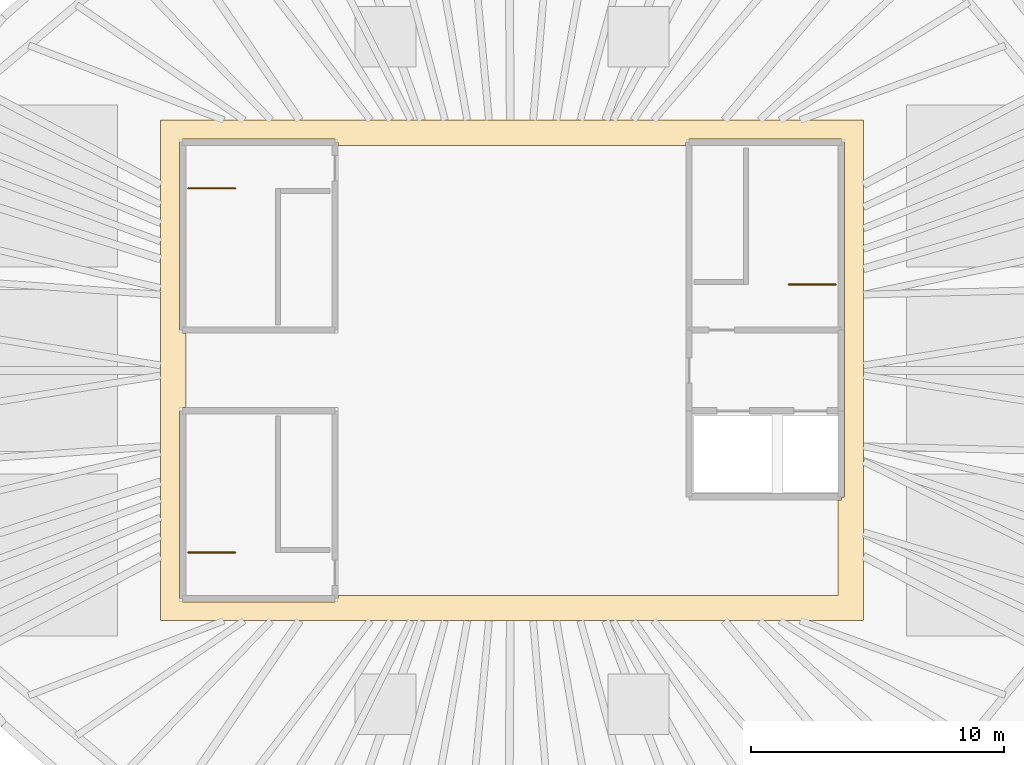
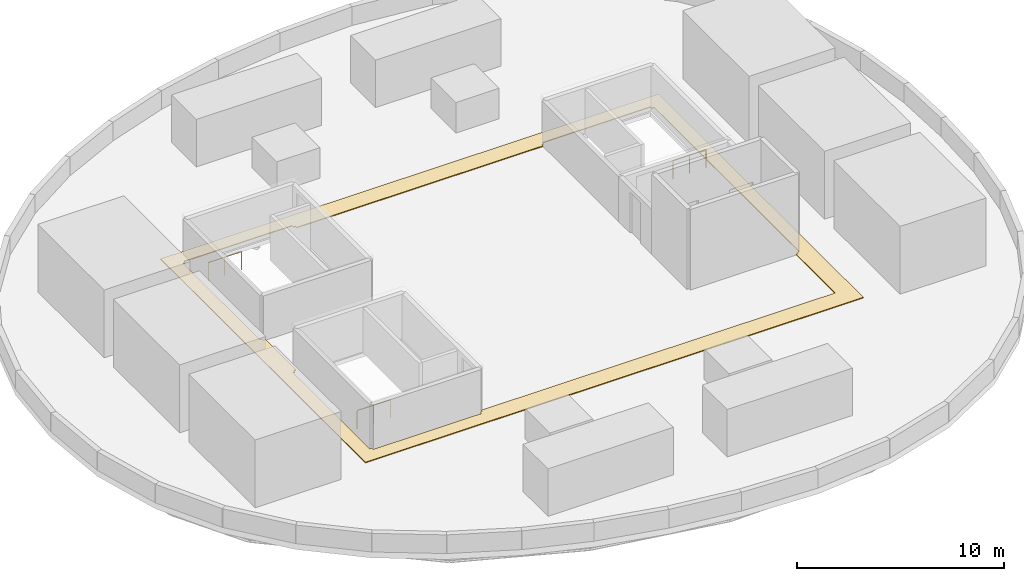
# One storey, part 5 of 6: 3 railings, 1 covering.
"""IFC4 building model written with IfcOpenShell, lengths in metres."""

from ifc_helpers import new_model, si_unit, direction, frame, origin, origin_2d, place, context, subcontext, project, spatial, polyline, circle, outline, extrude, material, layer, layer_set, type_object, element, save


model = new_model("IFC4")

# Units and contexts
model_context = context("Model", 3, precision=1e-05, world=origin(), true_north=direction((0.0, 1.0)))
body_context = subcontext(model_context, "Body", "Model", "MODEL_VIEW")
ifc_project = project(units=[si_unit("LENGTHUNIT", "METRE"), si_unit("AREAUNIT", "SQUARE_METRE"), si_unit("VOLUMEUNIT", "CUBIC_METRE"), si_unit("PLANEANGLEUNIT", "RADIAN"), si_unit("MASSUNIT", "GRAM", prefix="KILO")], contexts=[model_context])

# Site, building, storey
site_placement = place(None, origin())
site = spatial("IfcSite", under=ifc_project, at=site_placement, CompositionType="ELEMENT")
building_placement = place(site_placement, origin())
building = spatial("IfcBuilding", under=site, at=building_placement, Name="Ghaith Harvest Tower", CompositionType="ELEMENT")
storey_placement = place(building_placement, frame((0.0, 0.0, 349.199951171875)))
storey = spatial("IfcBuildingStorey", under=building, at=storey_placement, Name="RF", CompositionType="ELEMENT", Elevation=349.199951171875)

# Covering
ifc_material_1 = material(Name="Black bituminous roofing membrane")
ifc_layer = layer(ifc_material_1, 0.050048828125)
ifc_layer_set = layer_set([ifc_layer], Name="CORE WALL HEAD ROOFING 50")
covering_type = type_object("IfcCoveringType", Name="CORE WALL HEAD ROOFING 50", PredefinedType="ROOFING", material=ifc_layer_set)
covering_placement = place(storey_placement, origin())
element("IfcCovering", 1, at=covering_placement, inside=storey, type_object=covering_type, Name="Core wall head roofing 1", PredefinedType="ROOFING", context=body_context, shape_type="SweptSolid", body=[
    extrude(outline(polyline([(-13.89990234375, 9.89990234375), (13.89990234375, 9.89990234375), (13.89990234375, -9.89990234375), (-13.89990234375, -9.89990234375), (-13.89990234375, 9.89990234375)]), holes=[polyline([(-13.02490234375, -9.02490234375), (-13.02490234375, -9.14990234375), (-7.0, -9.14990234375), (-7.0, -9.02490234375), (-6.875, -9.02490234375), (-6.875, -8.89990234375), (12.89990234375, -8.89990234375), (12.89990234375, -5.125), (13.02490234375, -5.125), (13.02490234375, -5.0), (13.14990234375, -5.0), (13.14990234375, 9.02490234375), (13.02490234375, 9.02490234375), (13.02490234375, 9.14990234375), (7.0, 9.14990234375), (7.0, 9.02490234375), (6.875, 9.02490234375), (6.875, 8.89990234375), (-6.875, 8.89990234375), (-6.875, 9.02490234375), (-7.0, 9.02490234375), (-7.0, 9.14990234375), (-13.02490234375, 9.14990234375), (-13.02490234375, 9.02490234375), (-13.14990234375, 9.02490234375), (-13.14990234375, 1.60009765625), (-13.02490234375, 1.60009765625), (-13.02490234375, 1.47509765625), (-12.89990234375, 1.47509765625), (-12.89990234375, -1.47509765625), (-13.02490234375, -1.47509765625), (-13.02490234375, -1.60009765625), (-13.14990234375, -1.60009765625), (-13.14990234375, -9.02490234375), (-13.02490234375, -9.02490234375)])]), origin(), (0.0, 0.0, 1.0), 0.050048828125),
])

# Railings
ifc_material_2 = material(Name="Steel, black powder-coated", Category="steel")
railing_type = type_object("IfcRailingType", Name="GUARD GR1", PredefinedType="GUARDRAIL", material=ifc_material_2)
for number, where, name in (
    (2, (-12.800048828125, 7.199951171875, 0.0), "Guard GR1 at the top landing of stair ST1"),
    (3, (-12.800048828125, -7.199951171875, 0.0), "Guard GR1 at the top landing of stair ST3"),
):
    element("IfcRailing", number, at=place(storey_placement, frame(where)), inside=storey, type_object=railing_type, Name=name, PredefinedType="GUARDRAIL", context=body_context, shape_type="SweptSolid", body=[
        extrude(circle(Radius=0.02392578125, at=origin_2d()), frame((0.0, 0.0, 1.076171875), z_axis=(1.0, 0.0, 0.0), x_axis=(0.0, 1.0, 0.0)), (0.0, 0.0, 1.0), 1.85009765625),
        extrude(circle(Radius=0.02099609375, at=origin_2d()), origin(), (0.0, 0.0, 1.0), 1.052001953125),
        extrude(circle(Radius=0.02099609375, at=origin_2d()), frame((0.925048828125, 0.0, 0.0)), (0.0, 0.0, 1.0), 1.052001953125),
        extrude(circle(Radius=0.02099609375, at=origin_2d()), frame((1.85009765625, 0.0, 0.0)), (0.0, 0.0, 1.0), 1.052001953125),
    ])
railing_placement = place(storey_placement, frame((12.800048828125, 3.39990234375, 0.0)))
element("IfcRailing", 4, at=railing_placement, inside=storey, type_object=railing_type, Name="Guard GR1 at the top landing of stair ST2", PredefinedType="GUARDRAIL", context=body_context, shape_type="SweptSolid", body=[
    extrude(circle(Radius=0.02392578125, at=origin_2d()), frame((0.0, 0.0, 1.076171875), z_axis=(-1.0, 0.0, 0.0), x_axis=(0.0, -1.0, 0.0)), (0.0, 0.0, 1.0), 1.85009765625),
    extrude(circle(Radius=0.02099609375, at=origin_2d()), origin(), (0.0, 0.0, 1.0), 1.052001953125),
    extrude(circle(Radius=0.02099609375, at=origin_2d()), frame((-0.925048828125, 0.0, 0.0)), (0.0, 0.0, 1.0), 1.052001953125),
    extrude(circle(Radius=0.02099609375, at=origin_2d()), frame((-1.85009765625, 0.0, 0.0)), (0.0, 0.0, 1.0), 1.052001953125),
])

save(model, "model.ifc")
